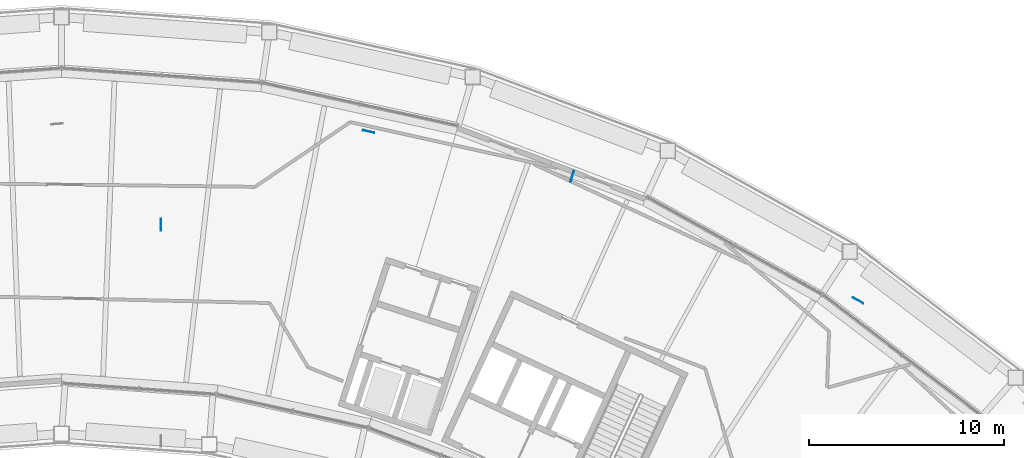
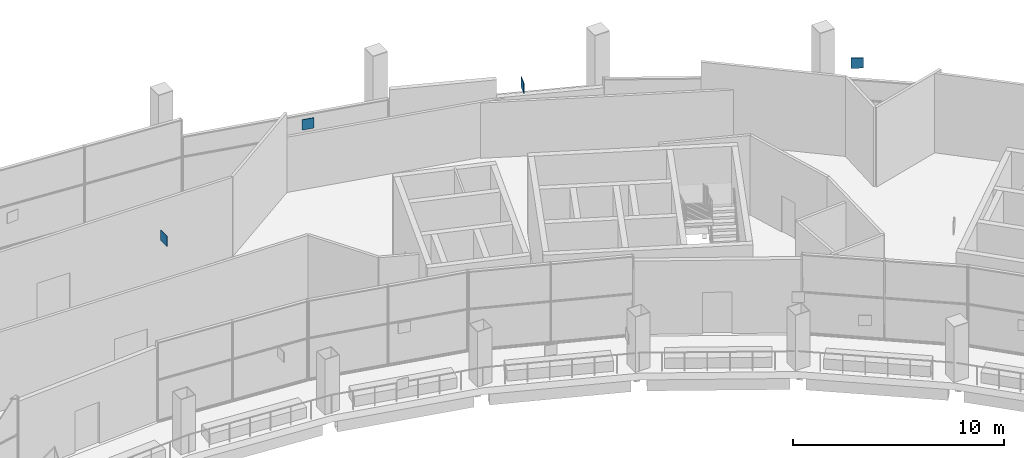
# One storey, part 25 of 29: 4 discrete accessories.
"""IFC4 building model written with IfcOpenShell, lengths in metres."""

from ifc_helpers import new_model, si_unit, direction, frame, origin, origin_2d, place, context, subcontext, project, spatial, rectangle, extrude, material, type_object, element, save


model = new_model("IFC4")

# Units and contexts
model_context = context("Model", 3, precision=1e-05, world=origin(), true_north=direction((0.0, 1.0)))
body_context = subcontext(model_context, "Body", "Model", "MODEL_VIEW")
ifc_project = project(units=[si_unit("LENGTHUNIT", "METRE"), si_unit("AREAUNIT", "SQUARE_METRE"), si_unit("VOLUMEUNIT", "CUBIC_METRE"), si_unit("PLANEANGLEUNIT", "RADIAN"), si_unit("MASSUNIT", "GRAM", prefix="KILO")], contexts=[model_context])

# Site, building, storey
site_placement = place(None, origin())
site = spatial("IfcSite", under=ifc_project, at=site_placement, CompositionType="ELEMENT")
building_placement = place(site_placement, origin())
building = spatial("IfcBuilding", under=site, at=building_placement, Name="Tuul Gate Civic Tower", CompositionType="ELEMENT")
storey_placement = place(building_placement, frame((0.0, 0.0, 238.89990234375)))
storey = spatial("IfcBuildingStorey", under=building, at=storey_placement, Name="Sky garden level 2", CompositionType="ELEMENT", Elevation=238.89990234375)

# Discrete accessories
ifc_material = material(Name="Steel S355", Category="steel")
discrete_accessory_type = type_object("IfcDiscreteAccessoryType", Name="Gusset plate", PredefinedType="BRACKET", material=ifc_material)
for number, where, z_axis, x_axis, name in (
    (1, (32.108154296875, 10.406494140625, 3.596923828125), (0.0, 0.0, 1.0), (-0.285212112775, -0.958464423297, 0.0), "Gusset plate"),
    (2, (11.031005859375, 7.9296875, 3.596923828125), (0.0, 0.0, 1.0), (0.0, 1.0, 0.0), "Gusset plate"),
    (3, (21.679931640625, 12.703369140625, 3.596923828125), (0.0, 0.0, 1.0), (0.976568946286, -0.215204770275, 0.0), "Gusset plate"),
    (4, (46.763916015625, 4.0400390625, 3.596923828125), (0.0, 0.0, 1.0), (0.87462518169, -0.484799743765, 0.0), "Gusset plate"),
):
    element("IfcDiscreteAccessory", number, at=place(storey_placement, frame(where, z_axis=z_axis, x_axis=x_axis)), inside=storey, type_object=discrete_accessory_type, Name=name, PredefinedType="BRACKET", context=body_context, shape_type="SweptSolid", body=[
        extrude(rectangle(XDim=0.60009765625, YDim=0.030029296875, at=origin_2d()), origin(), (0.0, 0.0, 1.0), 0.60009765625),
    ])

save(model, "model.ifc")
